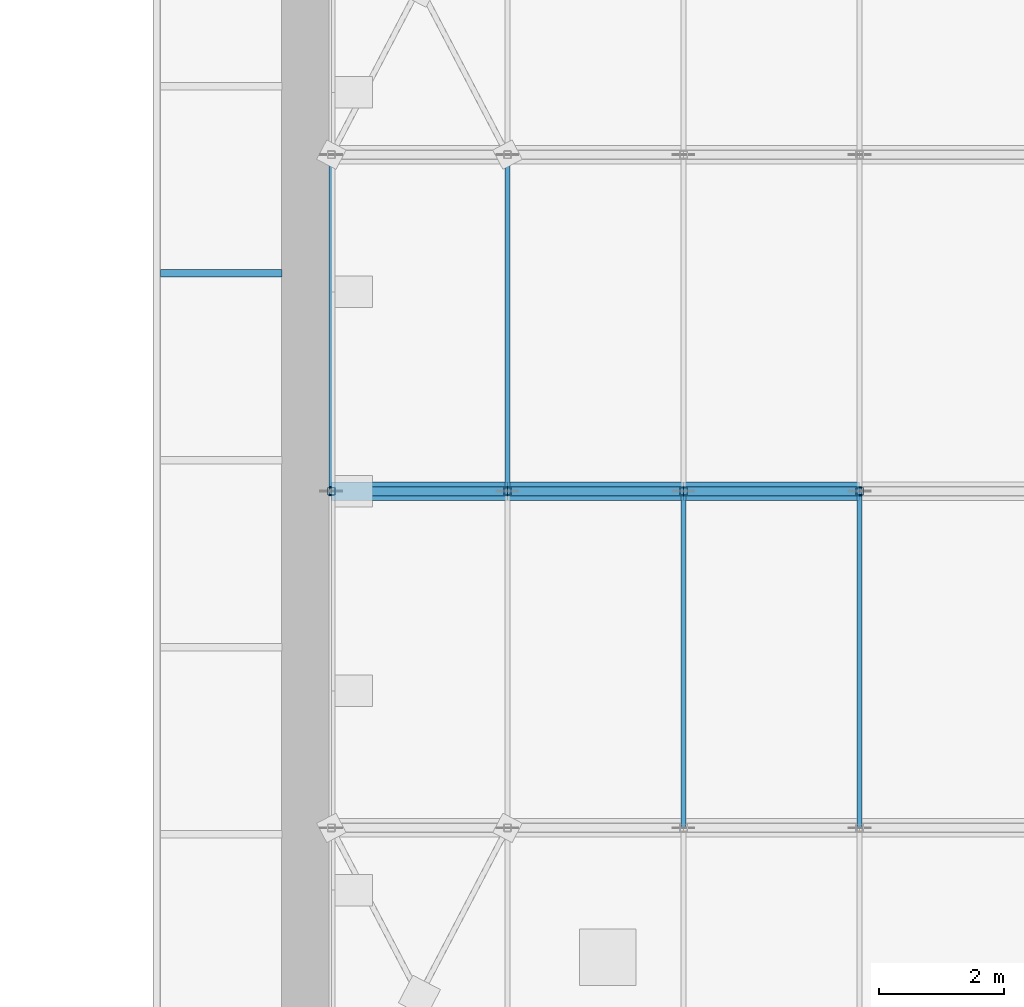
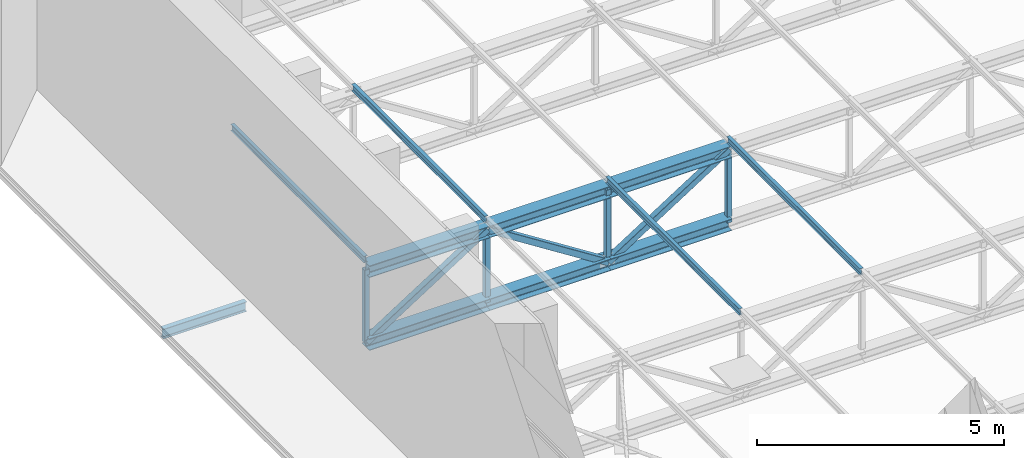
# One storey, part 39 of 132: 18 members.
"""IFC4 building model written with IfcOpenShell, lengths in metres."""

from ifc_helpers import new_model, si_unit, direction, frame, origin, origin_2d, place, context, subcontext, project, spatial, hollow_rectangle, i_section, extrude, material, material_profile, profile_set, type_object, element, save


model = new_model("IFC4")

# Units and contexts
model_context = context("Model", 3, precision=1e-05, world=origin(), true_north=direction((0.0, 1.0)))
body_context = subcontext(model_context, "Body", "Model", "MODEL_VIEW")
ifc_project = project(units=[si_unit("LENGTHUNIT", "METRE"), si_unit("AREAUNIT", "SQUARE_METRE"), si_unit("VOLUMEUNIT", "CUBIC_METRE"), si_unit("PLANEANGLEUNIT", "RADIAN"), si_unit("MASSUNIT", "GRAM", prefix="KILO")], contexts=[model_context])

# Site, building, storey
site_placement = place(None, origin())
site = spatial("IfcSite", under=ifc_project, at=site_placement, CompositionType="ELEMENT")
building_placement = place(site_placement, origin())
building = spatial("IfcBuilding", under=site, at=building_placement, Name="Lunette Opera House", CompositionType="ELEMENT")
storey_placement = place(building_placement, frame((0.0, 0.0, 17.0)))
storey = spatial("IfcBuildingStorey", under=building, at=storey_placement, Name="L03", CompositionType="ELEMENT", Elevation=17.0)

# Members
ifc_material_1 = material(Name="Steel S355", Category="steel")
ifc_material_profile_1 = material_profile(ifc_material_1, i_section(OverallWidth=0.1201171875, OverallDepth=0.239990234375, WebThickness=0.006103515625, FlangeThickness=0.009765625, FilletRadius=0.014892578125, at=origin_2d()), Name="IPE 240")
ifc_profile_set_1 = profile_set([ifc_material_profile_1], Name="Steel S355")
member_type_1 = type_object("IfcMemberType", Name="BRACKET IPE 240", PredefinedType="MEMBER", material=ifc_profile_set_1)
member_placement = place(storey_placement, frame((108.010009765625, 111.5, -0.179931640625), z_axis=(-1.0, 0.0, 0.0), x_axis=(0.0, -1.0, 0.0)))
element("IfcMember", 1, at=member_placement, inside=storey, type_object=member_type_1, Name="mem-ST-L03-FG2-BKE1080-1115", PredefinedType="MEMBER", context=body_context, shape_type="SweptSolid", body=[
    extrude(i_section(OverallWidth=0.1201171875, OverallDepth=0.239990234375, WebThickness=0.006103515625, FlangeThickness=0.009765625, FilletRadius=0.014892578125, at=origin_2d()), origin(), (0.0, 0.0, 1.0), 1.949951171875),
])
ifc_material_2 = material(Name="Steel S355", Category="steel")
ifc_material_profile_2 = material_profile(ifc_material_2, i_section(OverallWidth=0.300048828125, OverallDepth=0.2900390625, WebThickness=0.008544921875, FlangeThickness=0.013916015625, FilletRadius=0.027099609375, at=origin_2d()), Name="HEA 300")
ifc_profile_set_2 = profile_set([ifc_material_profile_2], Name="Steel S355")
member_type_2 = type_object("IfcMemberType", Name="CHORD HEA 300", PredefinedType="CHORD", material=ifc_profile_set_2)
for number, where, z_axis, x_axis, name in (
    (2, (108.800048828125, 108.0, 2.574951171875), (1.0, 0.0, 0.0), (0.0, 1.0, 0.0), "mem-ST-L03-SE-TR03-TC1"),
    (3, (108.800048828125, 108.0, 0.77490234375), (1.0, 0.0, 0.0), (0.0, 1.0, 0.0), "mem-ST-L03-SE-TR03-BC1"),
    (4, (111.625, 108.0, 2.574951171875), (1.0, 0.0, 0.0), (0.0, 1.0, 0.0), "mem-ST-L03-SE-TR03-TC2"),
    (5, (111.625, 108.0, 0.77490234375), (1.0, 0.0, 0.0), (0.0, 1.0, 0.0), "mem-ST-L03-SE-TR03-BC2"),
    (6, (114.449951171875, 108.0, 2.574951171875), (1.0, 0.0, 0.0), (0.0, 1.0, 0.0), "mem-ST-L03-SE-TR03-TC3"),
    (7, (114.449951171875, 108.0, 0.77490234375), (1.0, 0.0, 0.0), (0.0, 1.0, 0.0), "mem-ST-L03-SE-TR03-BC3"),
):
    element("IfcMember", number, at=place(storey_placement, frame(where, z_axis=z_axis, x_axis=x_axis)), inside=storey, type_object=member_type_2, Name=name, PredefinedType="CHORD", context=body_context, shape_type="SweptSolid", body=[
        extrude(i_section(OverallWidth=0.300048828125, OverallDepth=0.2900390625, WebThickness=0.008544921875, FlangeThickness=0.013916015625, FilletRadius=0.027099609375, at=origin_2d()), origin(), (0.0, 0.0, 1.0), 2.824951171875),
    ])
ifc_material_3 = material(Name="Steel S355", Category="steel")
ifc_material_profile_3 = material_profile(ifc_material_3, hollow_rectangle(XDim=0.14990234375, YDim=0.14990234375, WallThickness=0.006103515625, InnerFilletRadius=0.006103515625, OuterFilletRadius=0.011962890625, at=origin_2d()), Name="RHS 150X150X6")
ifc_profile_set_3 = profile_set([ifc_material_profile_3], Name="Steel S355")
member_type_3 = type_object("IfcMemberType", Name="DIAGONAL RHS 150X150X6", PredefinedType="BRACE", material=ifc_profile_set_3)
for number, where, z_axis, x_axis, name in (
    (8, (108.800048828125, 108.0, 0.77490234375), (0.843343221477, 0.0, 0.537375297896), (0.0, 1.0, 0.0), "mem-ST-L03-SE-TR03-TD1"),
    (9, (111.625, 108.0, 2.574951171875), (0.843343221477, 0.0, -0.537375297896), (0.0, 1.0, 0.0), "mem-ST-L03-SE-TR03-TD2"),
    (10, (114.449951171875, 108.0, 0.77490234375), (0.843343221477, 0.0, 0.537375297896), (0.0, 1.0, 0.0), "mem-ST-L03-SE-TR03-TD3"),
):
    element("IfcMember", number, at=place(storey_placement, frame(where, z_axis=z_axis, x_axis=x_axis)), inside=storey, type_object=member_type_3, Name=name, PredefinedType="BRACE", context=body_context, shape_type="SweptSolid", body=[
        extrude(hollow_rectangle(XDim=0.14990234375, YDim=0.14990234375, WallThickness=0.006103515625, InnerFilletRadius=0.006103515625, OuterFilletRadius=0.011962890625, at=origin_2d()), origin(), (0.0, 0.0, 1.0), 3.349609375),
    ])
ifc_material_4 = material(Name="Steel S355", Category="steel")
ifc_material_profile_4 = material_profile(ifc_material_4, i_section(OverallWidth=0.08203125, OverallDepth=0.159912109375, WebThickness=0.0048828125, FlangeThickness=0.00732421875, FilletRadius=0.009033203125, at=origin_2d()), Name="IPE 160")
ifc_profile_set_4 = profile_set([ifc_material_profile_4], Name="Steel S355")
member_type_4 = type_object("IfcMemberType", Name="PURLIN IPE 160", PredefinedType="PURLIN", material=ifc_profile_set_4)
for number, where, z_axis, x_axis, name in (
    (11, (108.800048828125, 108.0, 2.800048828125), (0.0, 1.0, 0.0), (-1.0, 0.0, 0.0), "mem-ST-L03-SE-TR-PU1-4"),
    (12, (111.625, 108.0, 2.800048828125), (0.0, 1.0, 0.0), (-1.0, 0.0, 0.0), "mem-ST-L03-SE-TR-PU2-4"),
    (13, (114.449951171875, 102.60009765625, 2.800048828125), (0.0, 1.0, 0.0), (-1.0, 0.0, 0.0), "mem-ST-L03-SE-TR-PU3-3"),
    (14, (117.27490234375, 102.60009765625, 2.800048828125), (0.0, 1.0, 0.0), (-1.0, 0.0, 0.0), "mem-ST-L03-SE-TR-PU4-3"),
):
    element("IfcMember", number, at=place(storey_placement, frame(where, z_axis=z_axis, x_axis=x_axis)), inside=storey, type_object=member_type_4, Name=name, PredefinedType="PURLIN", context=body_context, shape_type="SweptSolid", body=[
        extrude(i_section(OverallWidth=0.08203125, OverallDepth=0.159912109375, WebThickness=0.0048828125, FlangeThickness=0.00732421875, FilletRadius=0.009033203125, at=origin_2d()), origin(), (0.0, 0.0, 1.0), 5.39990234375),
    ])
ifc_material_5 = material(Name="Steel S355", Category="steel")
ifc_material_profile_5 = material_profile(ifc_material_5, hollow_rectangle(XDim=0.1201171875, YDim=0.1201171875, WallThickness=0.0048828125, InnerFilletRadius=0.0048828125, OuterFilletRadius=0.010009765625, at=origin_2d()), Name="RHS 120X120X5")
ifc_profile_set_5 = profile_set([ifc_material_profile_5], Name="Steel S355")
member_type_5 = type_object("IfcMemberType", Name="VERTICAL RHS 120X120X5", PredefinedType="POST", material=ifc_profile_set_5)
for number, where, z_axis, x_axis, name in (
    (15, (108.800048828125, 108.0, 0.77490234375), (0.0, 0.0, 1.0), (1.0, 0.0, 0.0), "mem-ST-L03-SE-TR03-TV1"),
    (16, (111.625, 108.0, 0.77490234375), (0.0, 0.0, 1.0), (1.0, 0.0, 0.0), "mem-ST-L03-SE-TR03-TV2"),
    (17, (114.449951171875, 108.0, 0.77490234375), (0.0, 0.0, 1.0), (1.0, 0.0, 0.0), "mem-ST-L03-SE-TR03-TV3"),
    (18, (117.27490234375, 108.0, 0.77490234375), (0.0, 0.0, 1.0), (1.0, 0.0, 0.0), "mem-ST-L03-SE-TR03-TV4"),
):
    element("IfcMember", number, at=place(storey_placement, frame(where, z_axis=z_axis, x_axis=x_axis)), inside=storey, type_object=member_type_5, Name=name, PredefinedType="POST", context=body_context, shape_type="SweptSolid", body=[
        extrude(hollow_rectangle(XDim=0.1201171875, YDim=0.1201171875, WallThickness=0.0048828125, InnerFilletRadius=0.0048828125, OuterFilletRadius=0.010009765625, at=origin_2d()), origin(), (0.0, 0.0, 1.0), 1.800048828125),
    ])

save(model, "model.ifc")
